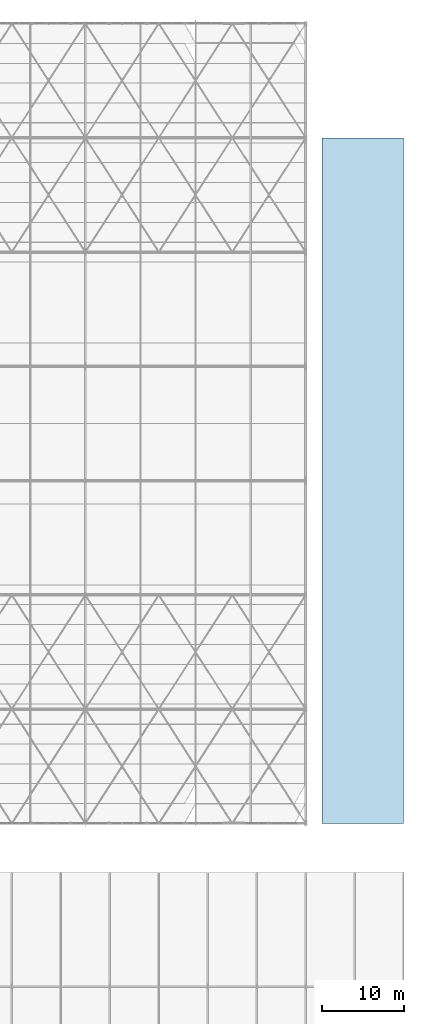
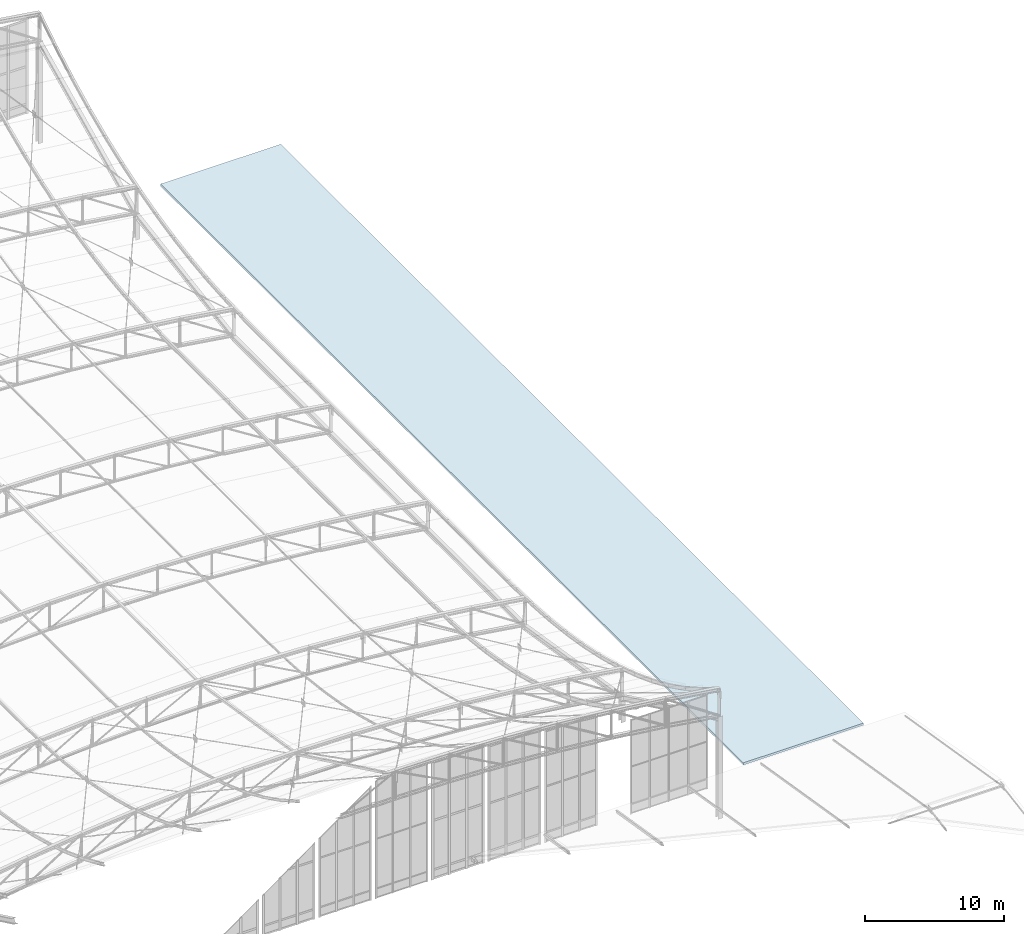
# One storey, part 233 of 262: 1 slab.
"""IFC4 building model written with IfcOpenShell, lengths in metres."""

from ifc_helpers import new_model, si_unit, derived_unit, direction, frame, origin, place, context, subcontext, project, spatial, polyline, outline, extrude, material, layer, layer_set, type_object, element, save


model = new_model("IFC4")

# Units and contexts
model_context = context("Model", 3, precision=1e-05, world=origin(), true_north=direction((0.0, 1.0)))
body_context = subcontext(model_context, "Body", "Model", "MODEL_VIEW")
ifc_project = project(units=[si_unit("LENGTHUNIT", "METRE"), si_unit("AREAUNIT", "SQUARE_METRE"), si_unit("VOLUMEUNIT", "CUBIC_METRE"), si_unit("PLANEANGLEUNIT", "RADIAN"), si_unit("MASSUNIT", "GRAM", prefix="KILO"), derived_unit("THERMALTRANSMITTANCEUNIT", [(si_unit("POWERUNIT", "WATT"), 1), (si_unit("LENGTHUNIT", "METRE"), -2), (si_unit("THERMODYNAMICTEMPERATUREUNIT", "KELVIN"), -1)])], contexts=[model_context])

# Site, building, storey
site_placement = place(None, origin())
site = spatial("IfcSite", under=ifc_project, at=site_placement, CompositionType="ELEMENT")
building_placement = place(site_placement, origin())
building = spatial("IfcBuilding", under=site, at=building_placement, Name="Almenara Railside Exhibition Hall", CompositionType="ELEMENT")
storey_placement = place(building_placement, frame((0.0, 0.0, 21.699951171875)))
storey = spatial("IfcBuildingStorey", under=building, at=storey_placement, Name="RF", CompositionType="ELEMENT", Elevation=21.699951171875)

# Slab
ifc_material = material(Name="White standing-seam insulated steel S355JR roof deck", Category="steel")
ifc_layer = layer(ifc_material, 0.195068359375, Name="White standing-seam insulated steel S355JR roof deck")
ifc_layer_set = layer_set([ifc_layer], Name="White standing-seam insulated steel S355JR roof deck")
slab_type = type_object("IfcSlabType", Name="Scroll Standing-Seam Insulated Roof Cassette 195mm S355JR", PredefinedType="ROOF", material=ifc_layer_set)
slab_placement = place(storey_placement, frame((0.0, 0.0, -5.695068359375)))
element("IfcSlab", 1, at=slab_placement, inside=storey, type_object=slab_type, Name="East Wing maintenance roof slab 031", PredefinedType="ROOF", context=body_context, shape_type="SweptSolid", body=[
    extrude(outline(polyline([(194.0, 34.0), (204.0, 34.0), (204.0, 118.0), (194.0, 118.0), (194.0, 34.0)])), origin(), (0.0, 0.0, 1.0), 0.195068359375),
])

save(model, "model.ifc")
